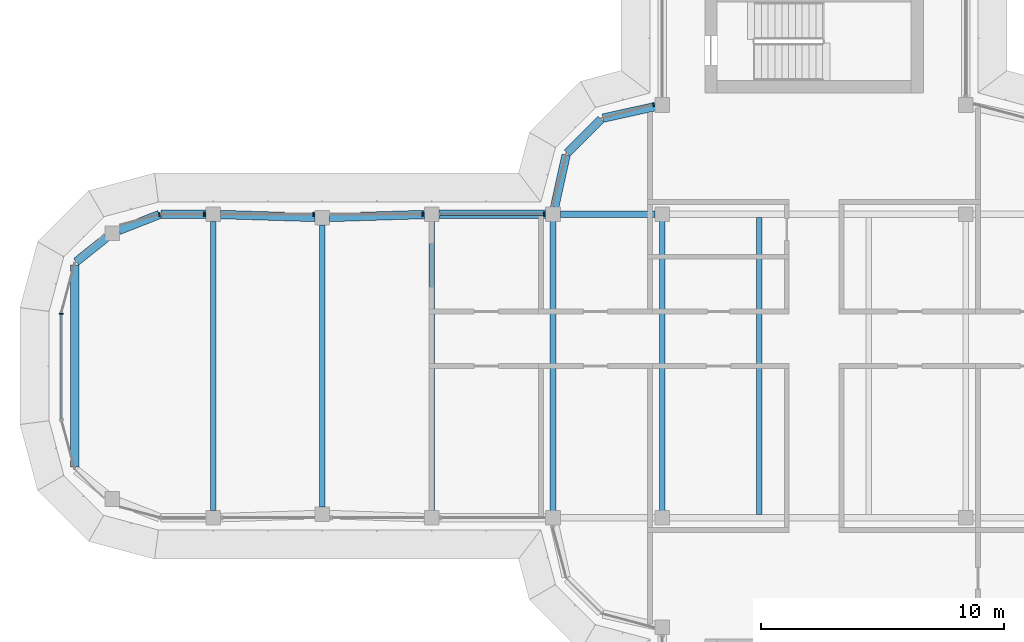
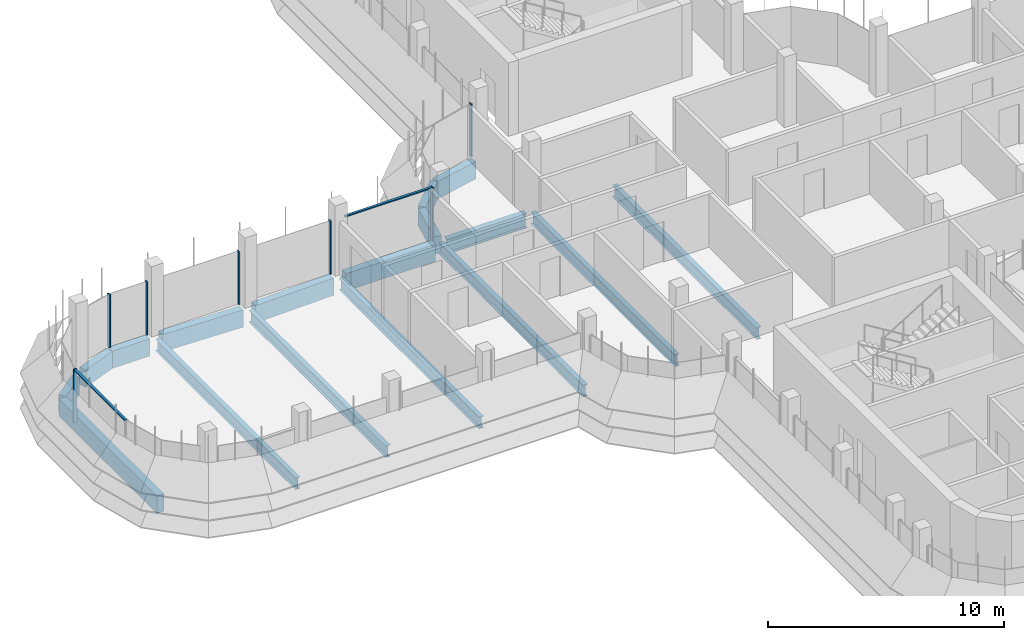
# One storey, part 6 of 19: 17 beams, 9 members, 4 elements without a shape of their own.
"""IFC4 building model written with IfcOpenShell, lengths in metres."""

from ifc_helpers import new_model, si_unit, direction, frame, origin, origin_2d, place, context, subcontext, project, spatial, polyline, rectangle, i_section, outline, extrude, source, transform, mapped, material, material_profile, profile_set, type_object, element, aggregate, save


model = new_model("IFC4")

# Units and contexts
model_context = context("Model", 3, precision=1e-05, world=origin(), true_north=direction((0.0, 1.0)))
body_context = subcontext(model_context, "Body", "Model", "MODEL_VIEW")
ifc_project = project(units=[si_unit("LENGTHUNIT", "METRE"), si_unit("AREAUNIT", "SQUARE_METRE"), si_unit("VOLUMEUNIT", "CUBIC_METRE"), si_unit("PLANEANGLEUNIT", "RADIAN"), si_unit("MASSUNIT", "GRAM", prefix="KILO")], contexts=[model_context])

# Site, building, storey
site_placement = place(None, origin())
site = spatial("IfcSite", under=ifc_project, at=site_placement, CompositionType="ELEMENT")
building_placement = place(site_placement, origin())
building = spatial("IfcBuilding", under=site, at=building_placement, Name="Zarbagh Exchange Tower", CompositionType="ELEMENT")
storey_placement = place(building_placement, frame((0.0, 0.0, 257.39990234375)))
storey = spatial("IfcBuildingStorey", under=building, at=storey_placement, Name="L63", CompositionType="ELEMENT", Elevation=257.39990234375)

# Beams
ifc_material_1 = material(Name="Steel ASTM A992 Gr 50", Category="steel")
ifc_material_profile_1 = material_profile(ifc_material_1, i_section(OverallWidth=0.228271484375, OverallDepth=0.607177734375, WebThickness=0.01123046875, FlangeThickness=0.017333984375, at=origin_2d()), Name="W24X76")
ifc_profile_set_1 = profile_set([ifc_material_profile_1], Name="Steel ASTM A992 Gr 50")
beam_type_1 = type_object("IfcBeamType", Name="Floor beam W24X76", PredefinedType="BEAM", material=ifc_profile_set_1)
for number, where, z_axis, x_axis, name in (
    (1, (-10.75, -6.11669921875, -0.453369140625), (0.0, 1.0, 0.0), (-1.0, 0.0, 0.0), "Steel floor beam"),
    (2, (-6.25, -6.11669921875, -0.453369140625), (0.0, 1.0, 0.0), (-1.0, 0.0, 0.0), "Steel floor beam"),
    (3, (-2.25, -6.11669921875, -0.453369140625), (0.0, 1.0, 0.0), (-1.0, 0.0, 0.0), "Steel floor beam"),
):
    element("IfcBeam", number, at=place(storey_placement, frame(where, z_axis=z_axis, x_axis=x_axis)), inside=storey, type_object=beam_type_1, Name=name, PredefinedType="BEAM", context=body_context, shape_type="SweptSolid", body=[
        extrude(i_section(OverallWidth=0.228271484375, OverallDepth=0.607177734375, WebThickness=0.01123046875, FlangeThickness=0.017333984375, at=origin_2d()), origin(), (0.0, 0.0, 1.0), 12.2333984375),
    ])
beam_1_placement = place(storey_placement, frame((-15.75, -5.949951171875, -0.453369140625), z_axis=(0.0, 1.0, 0.0), x_axis=(-1.0, 0.0, 0.0)))
element("IfcBeam", 4, at=beam_1_placement, inside=storey, type_object=beam_type_1, Name="Steel floor beam", PredefinedType="BEAM", context=body_context, shape_type="SweptSolid", body=[
    extrude(i_section(OverallWidth=0.228271484375, OverallDepth=0.607177734375, WebThickness=0.01123046875, FlangeThickness=0.017333984375, at=origin_2d()), origin(), (0.0, 0.0, 1.0), 11.89990234375),
])
beam_2_placement = place(storey_placement, frame((-20.25, -5.81005859375, -0.453369140625), z_axis=(0.0, 1.0, 0.0), x_axis=(-1.0, 0.0, 0.0)))
element("IfcBeam", 5, at=beam_2_placement, inside=storey, type_object=beam_type_1, Name="Steel floor beam", PredefinedType="BEAM", context=body_context, shape_type="SweptSolid", body=[
    extrude(i_section(OverallWidth=0.228271484375, OverallDepth=0.607177734375, WebThickness=0.01123046875, FlangeThickness=0.017333984375, at=origin_2d()), origin(), (0.0, 0.0, 1.0), 11.6201171875),
])
beam_3_placement = place(storey_placement, frame((-24.75, -5.949951171875, -0.453369140625), z_axis=(0.0, 1.0, 0.0), x_axis=(-1.0, 0.0, 0.0)))
element("IfcBeam", 6, at=beam_3_placement, inside=storey, type_object=beam_type_1, Name="Steel floor beam", PredefinedType="BEAM", context=body_context, shape_type="SweptSolid", body=[
    extrude(i_section(OverallWidth=0.228271484375, OverallDepth=0.607177734375, WebThickness=0.01123046875, FlangeThickness=0.017333984375, at=origin_2d()), origin(), (0.0, 0.0, 1.0), 11.89990234375),
])
ifc_material_profile_2 = material_profile(ifc_material_1, i_section(OverallWidth=0.2666015625, OverallDepth=0.7568359375, WebThickness=0.013916015625, FlangeThickness=0.019287109375, at=origin_2d()), Name="W30X108")
ifc_profile_set_2 = profile_set([ifc_material_profile_2], Name="Steel ASTM A992 Gr 50")
beam_type_2 = type_object("IfcBeamType", Name="Floor girder W30X108", PredefinedType="BEAM", material=ifc_profile_set_2)
beam_4_placement = place(storey_placement, frame((-10.449951171875, 6.25, -0.5283203125), z_axis=(1.0, 0.0, 0.0), x_axis=(0.0, 1.0, 0.0)))
element("IfcBeam", 7, at=beam_4_placement, inside=storey, type_object=beam_type_2, Name="Steel girder", PredefinedType="BEAM", context=body_context, shape_type="SweptSolid", body=[
    extrude(i_section(OverallWidth=0.2666015625, OverallDepth=0.7568359375, WebThickness=0.013916015625, FlangeThickness=0.019287109375, at=origin_2d()), origin(), (0.0, 0.0, 1.0), 3.89990234375),
])
ifc_material_2 = material(Name="Concrete C40/50", Category="concrete")
ifc_material_profile_3 = material_profile(ifc_material_2, rectangle(XDim=0.35009765625, YDim=0.89990234375, at=origin_2d()), Name="RC spandrel beam 350 x 900 C40/50")
ifc_profile_set_3 = profile_set([ifc_material_profile_3], Name="Concrete C40/50")
beam_type_3 = type_object("IfcBeamType", Name="RC spandrel beam 350 x 900 C40/50", PredefinedType="SPANDREL", material=ifc_profile_set_3)
beam_5_placement = place(storey_placement, frame((-30.44873046875, -4.156982421875, -0.599853515625), z_axis=(0.0, 1.0, 0.0), x_axis=(-1.0, 0.0, 0.0)))
element("IfcBeam", 8, at=beam_5_placement, inside=storey, type_object=beam_type_3, Name="RC spandrel beam", PredefinedType="SPANDREL", context=body_context, shape_type="SweptSolid", body=[
    extrude(rectangle(XDim=0.35009765625, YDim=0.89990234375, at=origin_2d()), origin(), (0.0, 0.0, 1.0), 8.31396484375),
])
beam_6_placement = place(storey_placement, frame((-30.38330078125, 4.293701171875, -0.599853515625), z_axis=(0.780584122498, 0.625050740104, 0.0), x_axis=(-0.625050740104, 0.780584122498, 0.0)))
element("IfcBeam", 9, at=beam_6_placement, inside=storey, type_object=beam_type_3, Name="RC spandrel beam", PredefinedType="SPANDREL", context=body_context, shape_type="SweptSolid", body=[
    extrude(rectangle(XDim=0.35009765625, YDim=0.89990234375, at=origin_2d()), origin(), (0.0, 0.0, 1.0), 1.590087890625),
])
beam_7_placement = place(storey_placement, frame((-28.62890625, 5.584716796875, -0.599853515625), z_axis=(0.930859366381, 0.365377667655, 0.0), x_axis=(-0.365377667655, 0.930859366381, 0.0)))
element("IfcBeam", 10, at=beam_7_placement, inside=storey, type_object=beam_type_3, Name="RC spandrel beam", PredefinedType="SPANDREL", context=body_context, shape_type="SweptSolid", body=[
    extrude(rectangle(XDim=0.35009765625, YDim=0.89990234375, at=origin_2d()), origin(), (0.0, 0.0, 1.0), 1.787353515625),
])
beam_8_placement = place(storey_placement, frame((-26.90087890625, 6.25, -0.599853515625), z_axis=(1.0, 0.0, 0.0), x_axis=(0.0, 1.0, 0.0)))
element("IfcBeam", 11, at=beam_8_placement, inside=storey, type_object=beam_type_3, Name="RC spandrel beam", PredefinedType="SPANDREL", context=body_context, shape_type="SweptSolid", body=[
    extrude(rectangle(XDim=0.35009765625, YDim=0.89990234375, at=origin_2d()), origin(), (0.0, 0.0, 1.0), 1.850830078125),
])
for number, where, z_axis, x_axis, name in (
    (12, (-24.4501953125, 6.24072265625, -0.599853515625), (0.999516460907, -0.031094121249, 0.0), (0.031094121249, 0.999516460907, 0.0), "RC spandrel beam"),
    (13, (-19.9501953125, 6.119384765625, -0.599853515625), (0.999516460907, 0.031094121249, 0.0), (-0.031094121249, 0.999516460907, 0.0), "RC spandrel beam"),
):
    element("IfcBeam", number, at=place(storey_placement, frame(where, z_axis=z_axis, x_axis=x_axis)), inside=storey, type_object=beam_type_3, Name=name, PredefinedType="SPANDREL", context=body_context, shape_type="SweptSolid", body=[
        extrude(rectangle(XDim=0.35009765625, YDim=0.89990234375, at=origin_2d()), origin(), (0.0, 0.0, 1.0), 3.90234375),
    ])
beam_9_placement = place(storey_placement, frame((-15.449951171875, 6.25, -0.599853515625), z_axis=(1.0, 0.0, 0.0), x_axis=(0.0, 1.0, 0.0)))
element("IfcBeam", 14, at=beam_9_placement, inside=storey, type_object=beam_type_3, Name="RC spandrel beam", PredefinedType="SPANDREL", context=body_context, shape_type="SweptSolid", body=[
    extrude(rectangle(XDim=0.35009765625, YDim=0.89990234375, at=origin_2d()), origin(), (0.0, 0.0, 1.0), 4.39990234375),
])
beam_10_placement = place(storey_placement, frame((-10.685302734375, 6.54296875, -0.599853515625), z_axis=(0.216025770228, 0.976387662047, 0.0), x_axis=(-0.976387662047, 0.216025770228, 0.0)))
element("IfcBeam", 15, at=beam_10_placement, inside=storey, type_object=beam_type_3, Name="RC spandrel beam", PredefinedType="SPANDREL", context=body_context, shape_type="SweptSolid", body=[
    extrude(rectangle(XDim=0.35009765625, YDim=0.89990234375, at=origin_2d()), origin(), (0.0, 0.0, 1.0), 2.200439453125),
])
beam_11_placement = place(storey_placement, frame((-10.16259765625, 8.77734375, -0.599853515625), z_axis=(0.707106781187, 0.707106781187, 0.0), x_axis=(-0.707106781187, 0.707106781187, 0.0)))
element("IfcBeam", 16, at=beam_11_placement, inside=storey, type_object=beam_type_3, Name="RC spandrel beam", PredefinedType="SPANDREL", context=body_context, shape_type="SweptSolid", body=[
    extrude(rectangle(XDim=0.35009765625, YDim=0.89990234375, at=origin_2d()), origin(), (0.0, 0.0, 1.0), 1.958984375),
])
beam_12_placement = place(storey_placement, frame((-8.69140625, 10.2099609375, -0.599853515625), z_axis=(0.976387662047, 0.216025770228, 0.0), x_axis=(-0.216025770228, 0.976387662047, 0.0)))
element("IfcBeam", 17, at=beam_12_placement, inside=storey, type_object=beam_type_3, Name="RC spandrel beam", PredefinedType="SPANDREL", context=body_context, shape_type="SweptSolid", body=[
    extrude(rectangle(XDim=0.35009765625, YDim=0.89990234375, at=origin_2d()), origin(), (0.0, 0.0, 1.0), 2.200439453125),
])

# Curtain wall, member
ifc_material_3 = material(Name="Anodised aluminium frame and glazing", Category="aluminium")
curtain_wall_type = type_object("IfcCurtainWallType", Name="CWB Ribbon glazing, upper zones", PredefinedType="NOTDEFINED", material=ifc_material_3)
curtain_wall_1_placement = place(storey_placement, origin())
curtain_wall_1 = element("IfcCurtainWall", 18, at=curtain_wall_1_placement, inside=storey, type_object=curtain_wall_type, Name="CWB29 curtain wall", PredefinedType="NOTDEFINED")
ifc_material_4 = material(Name="Anodised aluminium frame", Category="aluminium")
member_type_1 = type_object("IfcMemberType", Name="MUB Mullion, anodised aluminium frame", PredefinedType="MULLION", material=ifc_material_4)
shared_shape_1 = source(origin(), body_context, "Body", "SweptSolid", [
    extrude(outline(polyline([(0.0, -0.080078125), (0.06005859375, -0.080078125), (0.06005859375, 0.080078125), (0.0, 0.080078125), (0.0, -0.080078125)])), origin(), (0.0, 0.0, 1.0), 2.75),
])
placement = place(storey_placement, origin())
member_1 = element("IfcMember", 19, at=placement, type_object=member_type_1, Name="CWB29 mullion 1.1", PredefinedType="MULLION", context=body_context, shape_type="MappedRepresentation", body=[
    mapped(shared_shape_1, transform((-6.590087890625, 10.775146484375, 0.0), x_axis=(-0.965924289636, -0.258824779902, 0.0), y_axis=(0.258824779902, -0.965924289636, 0.0), z_axis=(0.0, 0.0, 1.0))),
])
aggregate(curtain_wall_1, [member_1])

# Curtain wall, members
curtain_wall_2_placement = place(storey_placement, origin())
curtain_wall_2 = element("IfcCurtainWall", 20, at=curtain_wall_2_placement, inside=storey, type_object=curtain_wall_type, Name="CWB58 curtain wall", PredefinedType="NOTDEFINED")
member_2 = element("IfcMember", 21, at=placement, type_object=member_type_1, Name="CWB58 mullion 1.1", PredefinedType="MULLION", context=body_context, shape_type="MappedRepresentation", body=[
    mapped(shared_shape_1, transform((-11.090087890625, 6.25, 0.0), x_axis=(-1.0, 0.0, 0.0), y_axis=(0.0, -1.0, 0.0), z_axis=(0.0, 0.0, 1.0))),
])
member_3 = element("IfcMember", 22, at=placement, type_object=member_type_1, Name="CWB58 mullion 2.1", PredefinedType="MULLION", context=body_context, shape_type="MappedRepresentation", body=[
    mapped(shared_shape_1, transform((-16.090087890625, 6.25, 0.0), x_axis=(-1.0, 0.0, 0.0), y_axis=(0.0, -1.0, 0.0), z_axis=(0.0, 0.0, 1.0))),
])
member_4 = element("IfcMember", 23, at=placement, type_object=member_type_1, Name="CWB58 mullion 3.1", PredefinedType="MULLION", context=body_context, shape_type="MappedRepresentation", body=[
    mapped(shared_shape_1, transform((-20.590087890625, 6.25, 0.0), x_axis=(-1.0, 0.0, 0.0), y_axis=(0.0, -1.0, 0.0), z_axis=(0.0, 0.0, 1.0))),
])
member_5 = element("IfcMember", 24, at=placement, type_object=member_type_1, Name="CWB58 mullion 4.1", PredefinedType="MULLION", context=body_context, shape_type="MappedRepresentation", body=[
    mapped(shared_shape_1, transform((-25.090087890625, 6.25, 0.0), x_axis=(-1.0, 0.0, 0.0), y_axis=(0.0, -1.0, 0.0), z_axis=(0.0, 0.0, 1.0))),
])

# Curtain wall, member
curtain_wall_3_placement = place(storey_placement, origin())
curtain_wall_3 = element("IfcCurtainWall", 25, at=curtain_wall_3_placement, inside=storey, type_object=curtain_wall_type, Name="CWB59 curtain wall", PredefinedType="NOTDEFINED")
member_6 = element("IfcMember", 26, at=placement, type_object=member_type_1, Name="CWB59 mullion 1.1", PredefinedType="MULLION", context=body_context, shape_type="MappedRepresentation", body=[
    mapped(shared_shape_1, transform((-26.93408203125, 6.25, 0.0), x_axis=(-0.965924289636, -0.258824779902, 0.0), y_axis=(0.258824779902, -0.965924289636, 0.0), z_axis=(0.0, 0.0, 1.0))),
])
aggregate(curtain_wall_3, [member_6])

# Curtain wall, members
curtain_wall_4_placement = place(storey_placement, origin())
curtain_wall_4 = element("IfcCurtainWall", 27, at=curtain_wall_4_placement, inside=storey, type_object=curtain_wall_type, Name="CWB66 curtain wall", PredefinedType="NOTDEFINED")
member_7 = element("IfcMember", 28, at=placement, type_object=member_type_1, Name="CWB66 mullion 1.1", PredefinedType="MULLION", context=body_context, shape_type="MappedRepresentation", body=[
    mapped(shared_shape_1, transform((-31.0, 2.18408203125, 0.0), x_axis=(0.0, -1.0, 0.0), y_axis=(1.0, 0.0, 0.0), z_axis=(0.0, 0.0, 1.0))),
])
member_type_2 = type_object("IfcMemberType", Name="TRB Transom, anodised aluminium frame", PredefinedType="USERDEFINED", material=ifc_material_4)
shared_shape_2 = source(origin(), body_context, "Body", "SweptSolid", [
    extrude(outline(polyline([(-0.06005859375, -0.06005859375), (0.0, -0.06005859375), (0.0, 0.06005859375), (-0.06005859375, 0.06005859375), (-0.06005859375, -0.06005859375)])), origin(), (0.0, 0.0, 1.0), 4.308349609375),
])
member_8 = element("IfcMember", 29, at=placement, type_object=member_type_2, Name="CWB66 transom 1.1", ObjectType="TRANSOM", PredefinedType="USERDEFINED", context=body_context, shape_type="MappedRepresentation", body=[
    mapped(shared_shape_2, transform((-31.0, 2.124267578125, 2.75), x_axis=(0.0, 0.0, 1.0), y_axis=(-1.0, 0.0, 0.0), z_axis=(0.0, -1.0, 0.0))),
])
aggregate(curtain_wall_4, [member_7, member_8])

# Member
shared_shape_3 = source(origin(), body_context, "Body", "SweptSolid", [
    extrude(outline(polyline([(-0.06005859375, -0.06005859375), (0.0, -0.06005859375), (0.0, 0.06005859375), (-0.06005859375, 0.06005859375), (-0.06005859375, -0.06005859375)])), origin(), (0.0, 0.0, 1.0), 4.260009765625),
])
member_9 = element("IfcMember", 30, at=placement, type_object=member_type_2, Name="CWB58 transom 1.1", ObjectType="TRANSOM", PredefinedType="USERDEFINED", context=body_context, shape_type="MappedRepresentation", body=[
    mapped(shared_shape_3, transform((-11.150146484375, 6.25, 2.75), x_axis=(0.0, 0.0, 1.0), y_axis=(0.0, 1.0, 0.0), z_axis=(-1.0, 0.0, 0.0))),
])

aggregate(curtain_wall_2, [member_2, member_9, member_3, member_4, member_5])

save(model, "model.ifc")
